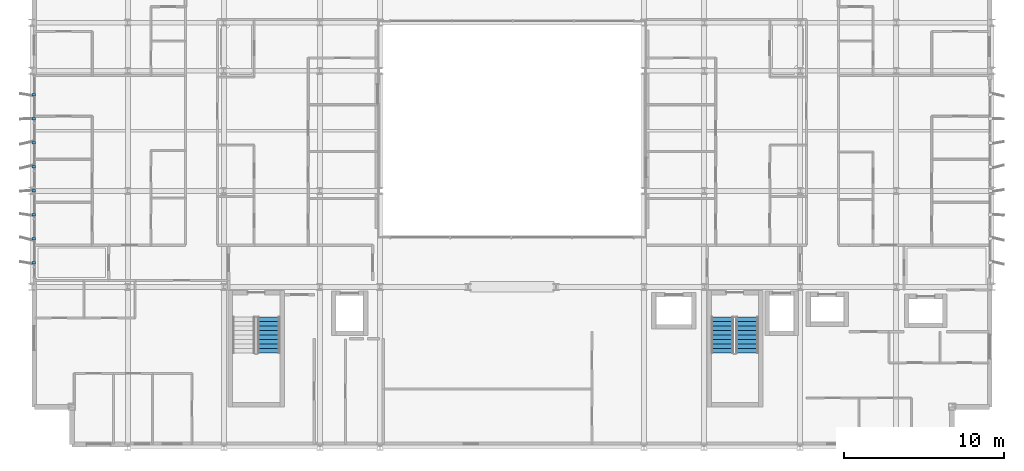
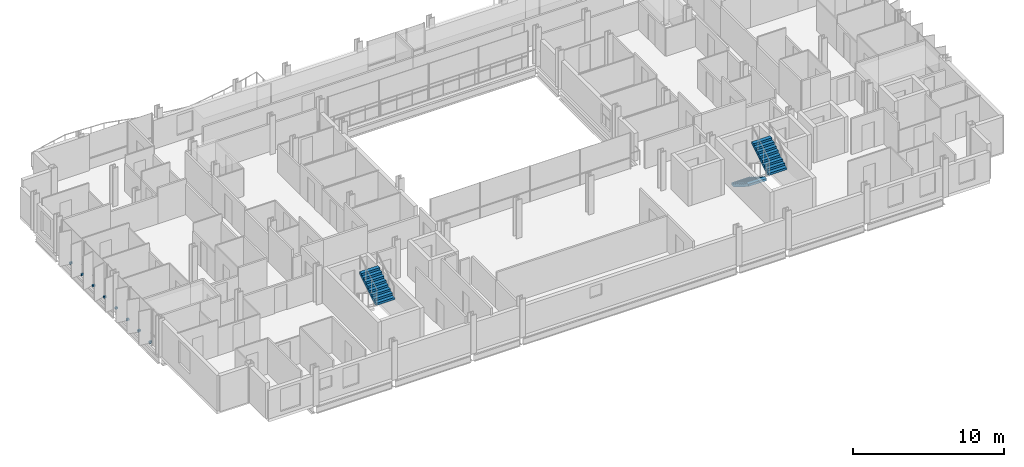
# One storey, part 33 of 38: 8 discrete accessories, 3 stair flights, 2 elements without a shape of their own.
"""IFC4 building model written with IfcOpenShell, lengths in metres."""

from ifc_helpers import new_model, si_unit, direction, frame, origin, origin_2d, place, context, subcontext, project, spatial, polyline, rectangle, outline, extrude, material, layer, layer_set, type_object, element, aggregate, save


model = new_model("IFC4")

# Units and contexts
model_context = context("Model", 3, precision=1e-05, world=origin(), true_north=direction((0.0, 1.0)))
body_context = subcontext(model_context, "Body", "Model", "MODEL_VIEW")
ifc_project = project(units=[si_unit("LENGTHUNIT", "METRE"), si_unit("AREAUNIT", "SQUARE_METRE"), si_unit("VOLUMEUNIT", "CUBIC_METRE"), si_unit("PLANEANGLEUNIT", "RADIAN"), si_unit("MASSUNIT", "GRAM", prefix="KILO")], contexts=[model_context])

# Site, building, storey
site_placement = place(None, origin())
site = spatial("IfcSite", under=ifc_project, at=site_placement, CompositionType="ELEMENT")
building_placement = place(site_placement, origin())
building = spatial("IfcBuilding", under=site, at=building_placement, Name="Brevholm Reach", CompositionType="ELEMENT")
storey_placement = place(building_placement, frame((0.0, 0.0, 71.39990234375)))
storey = spatial("IfcBuildingStorey", under=building, at=storey_placement, Name="L20", CompositionType="ELEMENT", Elevation=71.39990234375)

# Stair, stair flight
ifc_material_1 = material(Name="Precast Concrete C40/50", Category="concrete")
stair_type = type_object("IfcStairType", Name="STR-ESC-1400", PredefinedType="DOUBLE_RETURN_STAIR", material=ifc_material_1)
stair_1_placement = place(storey_placement, origin())
stair_1 = element("IfcStair", 1, at=stair_1_placement, inside=storey, type_object=stair_type, Name="L20 ST-1", PredefinedType="DOUBLE_RETURN_STAIR")
ifc_material_2 = material(Name="Precast Concrete C40/50", Category="concrete")
ifc_layer = layer(ifc_material_2, 0.18505859375)
ifc_layer_set = layer_set([ifc_layer], Name="Precast Concrete C40/50")
stair_flight_type = type_object("IfcStairFlightType", Name="STF-PRC-185", PredefinedType="STRAIGHT", material=ifc_layer_set)
stair_flight_1_placement = place(storey_placement, frame((14.800048828125, 5.860107421875, 1.550048828125), z_axis=(0.0, 0.0, 1.0), x_axis=(0.0, 1.0, 0.0)))
stair_flight_1 = element("IfcStairFlight", 2, at=stair_flight_1_placement, type_object=stair_flight_type, Name="ST-1 flight 2", NumberOfRisers=9, NumberOfTreads=8, PredefinedType="STRAIGHT", RiserHeight=0.172222222, TreadLength=0.28, context=body_context, shape_type="SweptSolid", body=[
    extrude(outline(polyline([(0.0, 0.0), (0.0, 0.172119140625), (0.280029296875, 0.172119140625), (0.280029296875, 0.344482421875), (0.56005859375, 0.344482421875), (0.56005859375, 0.5166015625), (0.840087890625, 0.5166015625), (0.840087890625, 0.68896484375), (1.1201171875, 0.68896484375), (1.1201171875, 0.861083984375), (1.39990234375, 0.861083984375), (1.39990234375, 1.033447265625), (1.679931640625, 1.033447265625), (1.679931640625, 1.20556640625), (1.9599609375, 1.20556640625), (1.9599609375, 1.377685546875), (2.239990234375, 1.377685546875), (2.239990234375, 1.550048828125), (2.239990234375, 1.201904296875), (0.2861328125, 0.0), (0.0, 0.0)])), frame((0.0, 0.699951171875, 0.0), z_axis=(0.0, -1.0, 0.0), x_axis=(1.0, 0.0, 0.0)), (0.0, 0.0, 1.0), 1.39990234375),
])
aggregate(stair_1, [stair_flight_1])

# Stair, stair flights
stair_2_placement = place(storey_placement, origin())
stair_2 = element("IfcStair", 3, at=stair_2_placement, inside=storey, type_object=stair_type, Name="L20 ST-2", PredefinedType="DOUBLE_RETURN_STAIR")
stair_flight_2_placement = place(storey_placement, frame((43.14990234375, 8.10009765625, 0.0), z_axis=(0.0, 0.0, 1.0), x_axis=(0.0, -1.0, 0.0)))
stair_flight_2 = element("IfcStairFlight", 4, at=stair_flight_2_placement, type_object=stair_flight_type, Name="ST-2 flight 1", NumberOfRisers=9, NumberOfTreads=8, PredefinedType="STRAIGHT", RiserHeight=0.172222222, TreadLength=0.28, context=body_context, shape_type="SweptSolid", body=[
    extrude(outline(polyline([(0.0, 0.0), (0.0, 0.172119140625), (0.280029296875, 0.172119140625), (0.280029296875, 0.344482421875), (0.56005859375, 0.344482421875), (0.56005859375, 0.5166015625), (0.840087890625, 0.5166015625), (0.840087890625, 0.68896484375), (1.1201171875, 0.68896484375), (1.1201171875, 0.861083984375), (1.39990234375, 0.861083984375), (1.39990234375, 1.033447265625), (1.679931640625, 1.033447265625), (1.679931640625, 1.20556640625), (1.9599609375, 1.20556640625), (1.9599609375, 1.377685546875), (2.239990234375, 1.377685546875), (2.239990234375, 1.550048828125), (2.239990234375, 1.201904296875), (0.2861328125, 0.0), (0.0, 0.0)])), frame((0.0, 0.699951171875, 0.0), z_axis=(0.0, -1.0, 0.0), x_axis=(1.0, 0.0, 0.0)), (0.0, 0.0, 1.0), 1.39990234375),
])
stair_flight_3_placement = place(storey_placement, frame((44.699951171875, 5.860107421875, 1.550048828125), z_axis=(0.0, 0.0, 1.0), x_axis=(0.0, 1.0, 0.0)))
stair_flight_3 = element("IfcStairFlight", 5, at=stair_flight_3_placement, type_object=stair_flight_type, Name="ST-2 flight 2", NumberOfRisers=9, NumberOfTreads=8, PredefinedType="STRAIGHT", RiserHeight=0.172222222, TreadLength=0.28, context=body_context, shape_type="SweptSolid", body=[
    extrude(outline(polyline([(0.0, 0.0), (0.0, 0.172119140625), (0.280029296875, 0.172119140625), (0.280029296875, 0.344482421875), (0.56005859375, 0.344482421875), (0.56005859375, 0.5166015625), (0.840087890625, 0.5166015625), (0.840087890625, 0.68896484375), (1.1201171875, 0.68896484375), (1.1201171875, 0.861083984375), (1.39990234375, 0.861083984375), (1.39990234375, 1.033447265625), (1.679931640625, 1.033447265625), (1.679931640625, 1.20556640625), (1.9599609375, 1.20556640625), (1.9599609375, 1.377685546875), (2.239990234375, 1.377685546875), (2.239990234375, 1.550048828125), (2.239990234375, 1.201904296875), (0.2861328125, 0.0), (0.0, 0.0)])), frame((0.0, 0.699951171875, 0.0), z_axis=(0.0, -1.0, 0.0), x_axis=(1.0, 0.0, 0.0)), (0.0, 0.0, 1.0), 1.39990234375),
])
aggregate(stair_2, [stair_flight_2, stair_flight_3])

# Discrete accessories
ifc_material_3 = material(Name="Duplex Stainless Steel EN 1.4462", Category="steel")
discrete_accessory_type = type_object("IfcDiscreteAccessoryType", Name="ACC-BRK-01", PredefinedType="BRACKET", material=ifc_material_3)
for number, where, z_axis, x_axis, name in (
    (6, (0.1201171875, 11.5, 0.0302734375), (0.0, 0.0, 1.0), (-1.0, 0.0, 0.0), "L20 Solar Screen Support Bracket 1"),
    (7, (0.1201171875, 13.0, 0.0302734375), (0.0, 0.0, 1.0), (-1.0, 0.0, 0.0), "L20 Solar Screen Support Bracket 2"),
    (8, (0.1201171875, 14.5, 0.0302734375), (0.0, 0.0, 1.0), (-1.0, 0.0, 0.0), "L20 Solar Screen Support Bracket 3"),
    (9, (0.1201171875, 16.0, 0.0302734375), (0.0, 0.0, 1.0), (-1.0, 0.0, 0.0), "L20 Solar Screen Support Bracket 4"),
    (10, (0.1201171875, 17.5, 0.0302734375), (0.0, 0.0, 1.0), (-1.0, 0.0, 0.0), "L20 Solar Screen Support Bracket 5"),
    (11, (0.1201171875, 19.0, 0.0302734375), (0.0, 0.0, 1.0), (-1.0, 0.0, 0.0), "L20 Solar Screen Support Bracket 6"),
    (12, (0.1201171875, 20.5, 0.0302734375), (0.0, 0.0, 1.0), (-1.0, 0.0, 0.0), "L20 Solar Screen Support Bracket 7"),
    (13, (0.1201171875, 22.0, 0.0302734375), (0.0, 0.0, 1.0), (-1.0, 0.0, 0.0), "L20 Solar Screen Support Bracket 8"),
):
    element("IfcDiscreteAccessory", number, at=place(storey_placement, frame(where, z_axis=z_axis, x_axis=x_axis)), inside=storey, type_object=discrete_accessory_type, Name=name, PredefinedType="BRACKET", context=body_context, shape_type="SweptSolid", body=[
        extrude(rectangle(XDim=0.199951171875, YDim=0.139892578125, at=origin_2d()), origin(), (0.0, 0.0, 1.0), 0.139892578125),
    ])

save(model, "model.ifc")
